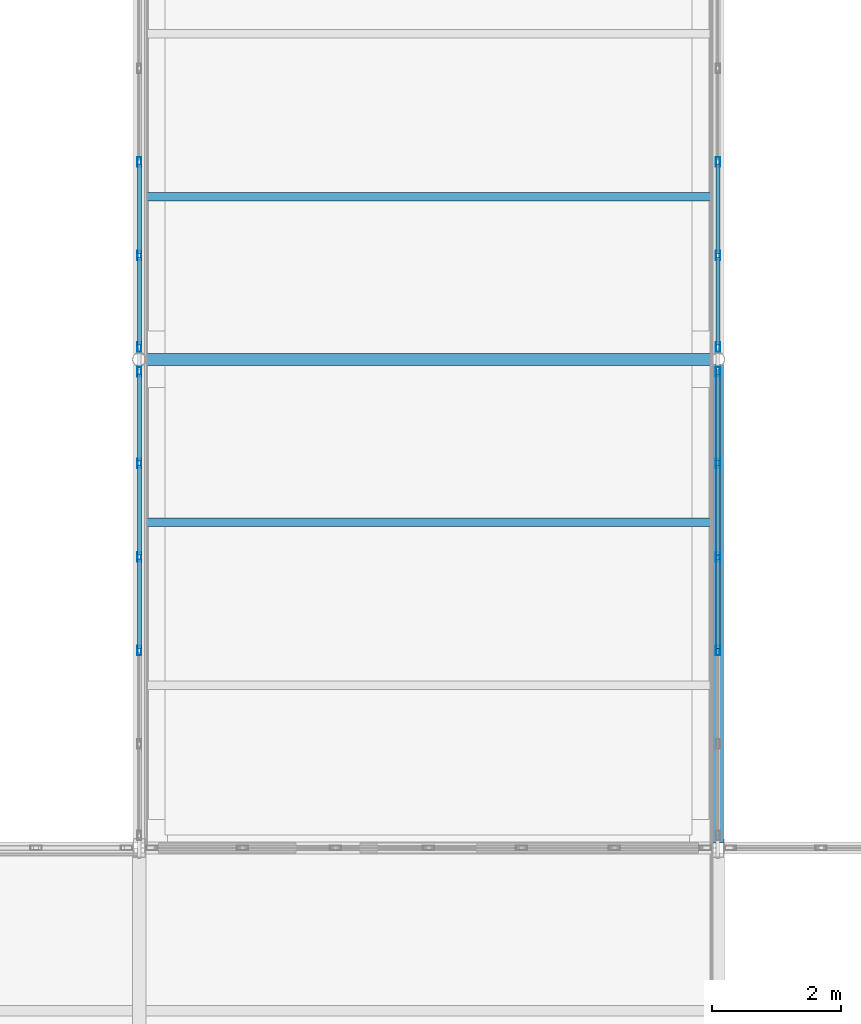
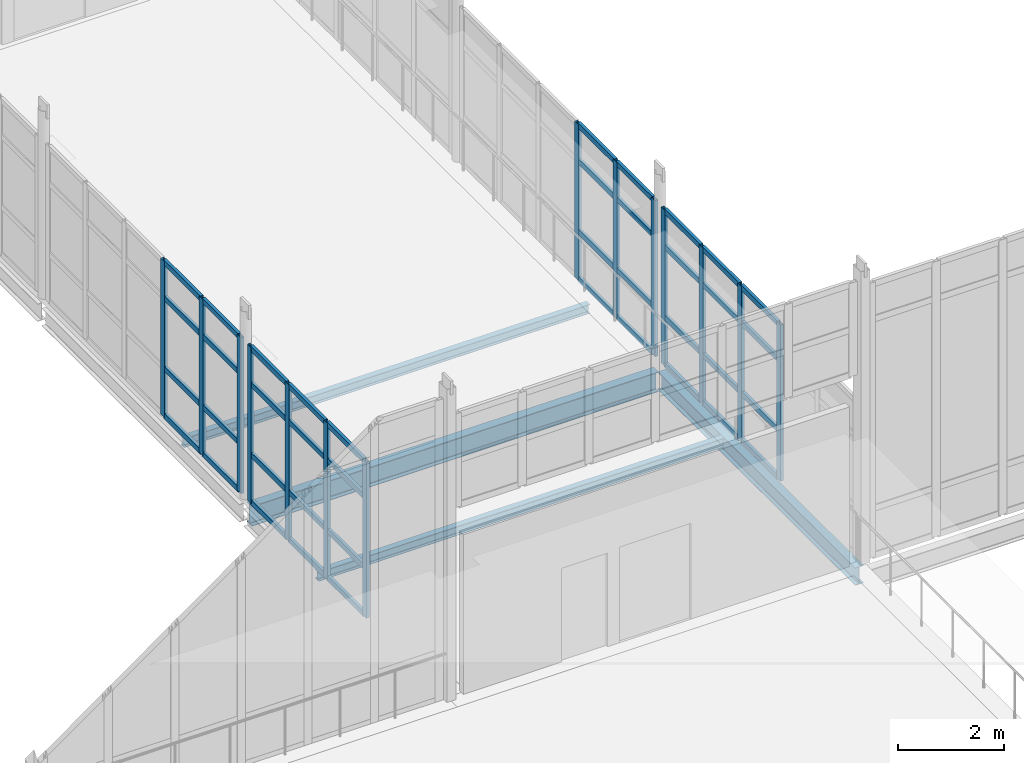
# One storey, part 71 of 166: 54 members, 4 beams, 4 elements without a shape of their own.
"""IFC4 building model written with IfcOpenShell, lengths in metres."""

from ifc_helpers import new_model, si_unit, direction, frame, origin, origin_2d, place, context, subcontext, project, spatial, hollow_rectangle, i_section, extrude, material, material_profile, profile_set, type_object, element, aggregate, save


model = new_model("IFC4")

# Units and contexts
model_context = context("Model", 3, precision=1e-05, world=origin(), true_north=direction((0.0, 1.0)))
body_context = subcontext(model_context, "Body", "Model", "MODEL_VIEW")
ifc_project = project(units=[si_unit("LENGTHUNIT", "METRE"), si_unit("AREAUNIT", "SQUARE_METRE"), si_unit("VOLUMEUNIT", "CUBIC_METRE"), si_unit("PLANEANGLEUNIT", "RADIAN"), si_unit("MASSUNIT", "GRAM", prefix="KILO")], contexts=[model_context])

# Site, building, storey
site_placement = place(None, origin())
site = spatial("IfcSite", under=ifc_project, at=site_placement, CompositionType="ELEMENT")
building_placement = place(site_placement, origin())
building = spatial("IfcBuilding", under=site, at=building_placement, Name="Caisbarro Railhouse Central Library", CompositionType="ELEMENT")
storey_placement = place(building_placement, frame((0.0, 0.0, 9.360107421875)))
storey = spatial("IfcBuildingStorey", under=building, at=storey_placement, Name="L02", CompositionType="ELEMENT", Elevation=9.360107421875)

# Beams
ifc_material_1 = material(Name="Steel ASTM A572 Grade 50", Category="steel")
ifc_material_profile_1 = material_profile(ifc_material_1, i_section(OverallWidth=0.18994140625, OverallDepth=0.45703125, WebThickness=0.009033203125, FlangeThickness=0.014404296875, FilletRadius=0.01806640625, at=origin_2d()), Name="W460X74.0")
ifc_profile_set_1 = profile_set([ifc_material_profile_1], Name="Steel ASTM A572 Grade 50")
beam_type_1 = type_object("IfcBeamType", Name="BM-G08", PredefinedType="BEAM", material=ifc_profile_set_1)
beam_1_placement = place(storey_placement, frame((54.080078125, 68.39990234375, -0.4287109375), z_axis=(1.0, 0.0, 0.0), x_axis=(0.0, 1.0, 0.0)))
element("IfcBeam", 1, at=beam_1_placement, inside=storey, type_object=beam_type_1, Name="G08 beam L02 #1718", PredefinedType="BEAM", context=body_context, shape_type="SweptSolid", body=[
    extrude(i_section(OverallWidth=0.18994140625, OverallDepth=0.45703125, WebThickness=0.009033203125, FlangeThickness=0.014404296875, FilletRadius=0.01806640625, at=origin_2d()), origin(), (0.0, 0.0, 1.0), 8.83984375),
])
ifc_material_profile_2 = material_profile(ifc_material_1, i_section(OverallWidth=0.177978515625, OverallDepth=0.406982421875, WebThickness=0.0078125, FlangeThickness=0.0126953125, FilletRadius=0.01611328125, at=origin_2d()), Name="W410X60.0")
ifc_profile_set_2 = profile_set([ifc_material_profile_2], Name="Steel ASTM A572 Grade 50")
beam_type_2 = type_object("IfcBeamType", Name="BM-G10", PredefinedType="BEAM", material=ifc_profile_set_2)
beam_2_placement = place(storey_placement, frame((63.0, 60.8798828125, -0.403564453125), z_axis=(0.0, 1.0, 0.0), x_axis=(-1.0, 0.0, 0.0)))
element("IfcBeam", 2, at=beam_2_placement, inside=storey, type_object=beam_type_2, Name="G10 beam L02 #1723", PredefinedType="BEAM", context=body_context, shape_type="SweptSolid", body=[
    extrude(i_section(OverallWidth=0.177978515625, OverallDepth=0.406982421875, WebThickness=0.0078125, FlangeThickness=0.0126953125, FilletRadius=0.01611328125, at=origin_2d()), origin(), (0.0, 0.0, 1.0), 7.440185546875),
])
ifc_material_profile_3 = material_profile(ifc_material_1, i_section(OverallWidth=0.133056640625, OverallDepth=0.20703125, WebThickness=0.005859375, FlangeThickness=0.00830078125, FilletRadius=0.010009765625, at=origin_2d()), Name="W200X26.6")
ifc_profile_set_3 = profile_set([ifc_material_profile_3], Name="Steel ASTM A572 Grade 50")
beam_type_3 = type_object("IfcBeamType", Name="BM-J07", PredefinedType="JOIST", material=ifc_profile_set_3)
for number, where, z_axis, x_axis, name in (
    (3, (54.089111328125, 65.86669921875, -0.3037109375), (1.0, 0.0, 0.0), (0.0, 1.0, 0.0), "J07 beam L02 #1727"),
    (4, (54.089111328125, 70.933349609375, -0.3037109375), (1.0, 0.0, 0.0), (0.0, 1.0, 0.0), "J07 beam L02 #1728"),
):
    element("IfcBeam", number, at=place(storey_placement, frame(where, z_axis=z_axis, x_axis=x_axis)), inside=storey, type_object=beam_type_3, Name=name, PredefinedType="JOIST", context=body_context, shape_type="SweptSolid", body=[
        extrude(i_section(OverallWidth=0.133056640625, OverallDepth=0.20703125, WebThickness=0.005859375, FlangeThickness=0.00830078125, FilletRadius=0.010009765625, at=origin_2d()), origin(), (0.0, 0.0, 1.0), 8.82177734375),
    ])

# Curtain wall, members
ifc_material_2 = material(Name="Anodised architectural aluminium", Category="aluminium")
curtain_wall_type = type_object("IfcCurtainWallType", Name="CW-CW03", PredefinedType="NOTDEFINED", material=ifc_material_2)
curtain_wall_1_placement = place(storey_placement, origin())
curtain_wall_1 = element("IfcCurtainWall", 5, at=curtain_wall_1_placement, inside=storey, type_object=curtain_wall_type, Name="CW03 curtain wall L02 #202", PredefinedType="NOTDEFINED")
ifc_material_profile_4 = material_profile(ifc_material_2, hollow_rectangle(XDim=0.06494140625, YDim=0.14990234375, WallThickness=0.00390625, at=origin_2d()), Name="ALU-MUL-65X150")
ifc_profile_set_4 = profile_set([ifc_material_profile_4], Name="Anodised architectural aluminium")
member_type_1 = type_object("IfcMemberType", Name="CWM-M02", PredefinedType="MULLION", material=ifc_profile_set_4)
member_1_placement = place(storey_placement, frame((54.0, 63.8720703125, 0.0), z_axis=(0.0, 0.0, 1.0), x_axis=(-1.0, 0.0, 0.0)))
member_1 = element("IfcMember", 6, at=member_1_placement, type_object=member_type_1, Name="CW03 mullion 3", PredefinedType="MULLION", context=body_context, shape_type="SweptSolid", body=[
    extrude(hollow_rectangle(XDim=0.06494140625, YDim=0.14990234375, WallThickness=0.00390625, at=origin_2d()), origin(), (0.0, 0.0, 1.0), 3.58984375),
])
member_2_placement = place(storey_placement, frame((54.0, 65.327880859375, 0.0), z_axis=(0.0, 0.0, 1.0), x_axis=(-1.0, 0.0, 0.0)))
member_2 = element("IfcMember", 7, at=member_2_placement, type_object=member_type_1, Name="CW03 mullion 4", PredefinedType="MULLION", context=body_context, shape_type="SweptSolid", body=[
    extrude(hollow_rectangle(XDim=0.06494140625, YDim=0.14990234375, WallThickness=0.00390625, at=origin_2d()), origin(), (0.0, 0.0, 1.0), 3.58984375),
])
member_3_placement = place(storey_placement, frame((54.0, 66.783935546875, 0.0), z_axis=(0.0, 0.0, 1.0), x_axis=(-1.0, 0.0, 0.0)))
member_3 = element("IfcMember", 8, at=member_3_placement, type_object=member_type_1, Name="CW03 mullion 5", PredefinedType="MULLION", context=body_context, shape_type="SweptSolid", body=[
    extrude(hollow_rectangle(XDim=0.06494140625, YDim=0.14990234375, WallThickness=0.00390625, at=origin_2d()), origin(), (0.0, 0.0, 1.0), 3.58984375),
])
member_4_placement = place(storey_placement, frame((54.0, 68.20751953125, 0.0), z_axis=(0.0, 0.0, 1.0), x_axis=(-1.0, 0.0, 0.0)))
member_4 = element("IfcMember", 9, at=member_4_placement, type_object=member_type_1, Name="CW03 mullion 6", PredefinedType="MULLION", context=body_context, shape_type="SweptSolid", body=[
    extrude(hollow_rectangle(XDim=0.06494140625, YDim=0.14990234375, WallThickness=0.00390625, at=origin_2d()), origin(), (0.0, 0.0, 1.0), 3.58984375),
])

curtain_wall_2_placement = place(storey_placement, origin())
curtain_wall_2 = element("IfcCurtainWall", 10, at=curtain_wall_2_placement, inside=storey, type_object=curtain_wall_type, Name="CW03 curtain wall L02 #203", PredefinedType="NOTDEFINED")
member_5_placement = place(storey_placement, frame((63.0, 63.8720703125, 0.0), z_axis=(0.0, 0.0, 1.0), x_axis=(-1.0, 0.0, 0.0)))
member_5 = element("IfcMember", 11, at=member_5_placement, type_object=member_type_1, Name="CW03 mullion 3", PredefinedType="MULLION", context=body_context, shape_type="SweptSolid", body=[
    extrude(hollow_rectangle(XDim=0.06494140625, YDim=0.14990234375, WallThickness=0.00390625, at=origin_2d()), origin(), (0.0, 0.0, 1.0), 3.58984375),
])
member_6_placement = place(storey_placement, frame((63.0, 65.327880859375, 0.0), z_axis=(0.0, 0.0, 1.0), x_axis=(-1.0, 0.0, 0.0)))
member_6 = element("IfcMember", 12, at=member_6_placement, type_object=member_type_1, Name="CW03 mullion 4", PredefinedType="MULLION", context=body_context, shape_type="SweptSolid", body=[
    extrude(hollow_rectangle(XDim=0.06494140625, YDim=0.14990234375, WallThickness=0.00390625, at=origin_2d()), origin(), (0.0, 0.0, 1.0), 3.58984375),
])
member_7_placement = place(storey_placement, frame((63.0, 66.783935546875, 0.0), z_axis=(0.0, 0.0, 1.0), x_axis=(-1.0, 0.0, 0.0)))
member_7 = element("IfcMember", 13, at=member_7_placement, type_object=member_type_1, Name="CW03 mullion 5", PredefinedType="MULLION", context=body_context, shape_type="SweptSolid", body=[
    extrude(hollow_rectangle(XDim=0.06494140625, YDim=0.14990234375, WallThickness=0.00390625, at=origin_2d()), origin(), (0.0, 0.0, 1.0), 3.58984375),
])
member_8_placement = place(storey_placement, frame((63.0, 68.20751953125, 0.0), z_axis=(0.0, 0.0, 1.0), x_axis=(-1.0, 0.0, 0.0)))
member_8 = element("IfcMember", 14, at=member_8_placement, type_object=member_type_1, Name="CW03 mullion 6", PredefinedType="MULLION", context=body_context, shape_type="SweptSolid", body=[
    extrude(hollow_rectangle(XDim=0.06494140625, YDim=0.14990234375, WallThickness=0.00390625, at=origin_2d()), origin(), (0.0, 0.0, 1.0), 3.58984375),
])

curtain_wall_3_placement = place(storey_placement, origin())
curtain_wall_3 = element("IfcCurtainWall", 15, at=curtain_wall_3_placement, inside=storey, type_object=curtain_wall_type, Name="CW03 curtain wall L02 #204", PredefinedType="NOTDEFINED")
member_9_placement = place(storey_placement, frame((54.0, 68.592529296875, 0.0), z_axis=(0.0, 0.0, 1.0), x_axis=(-1.0, 0.0, 0.0)))
member_9 = element("IfcMember", 16, at=member_9_placement, type_object=member_type_1, Name="CW03 mullion 1", PredefinedType="MULLION", context=body_context, shape_type="SweptSolid", body=[
    extrude(hollow_rectangle(XDim=0.06494140625, YDim=0.14990234375, WallThickness=0.00390625, at=origin_2d()), origin(), (0.0, 0.0, 1.0), 3.58984375),
])
member_10_placement = place(storey_placement, frame((54.0, 70.01611328125, 0.0), z_axis=(0.0, 0.0, 1.0), x_axis=(-1.0, 0.0, 0.0)))
member_10 = element("IfcMember", 17, at=member_10_placement, type_object=member_type_1, Name="CW03 mullion 2", PredefinedType="MULLION", context=body_context, shape_type="SweptSolid", body=[
    extrude(hollow_rectangle(XDim=0.06494140625, YDim=0.14990234375, WallThickness=0.00390625, at=origin_2d()), origin(), (0.0, 0.0, 1.0), 3.58984375),
])
member_11_placement = place(storey_placement, frame((54.0, 71.471923828125, 0.0), z_axis=(0.0, 0.0, 1.0), x_axis=(-1.0, 0.0, 0.0)))
member_11 = element("IfcMember", 18, at=member_11_placement, type_object=member_type_1, Name="CW03 mullion 3", PredefinedType="MULLION", context=body_context, shape_type="SweptSolid", body=[
    extrude(hollow_rectangle(XDim=0.06494140625, YDim=0.14990234375, WallThickness=0.00390625, at=origin_2d()), origin(), (0.0, 0.0, 1.0), 3.58984375),
])

curtain_wall_4_placement = place(storey_placement, origin())
curtain_wall_4 = element("IfcCurtainWall", 19, at=curtain_wall_4_placement, inside=storey, type_object=curtain_wall_type, Name="CW03 curtain wall L02 #205", PredefinedType="NOTDEFINED")
member_12_placement = place(storey_placement, frame((63.0, 68.592529296875, 0.0), z_axis=(0.0, 0.0, 1.0), x_axis=(-1.0, 0.0, 0.0)))
member_12 = element("IfcMember", 20, at=member_12_placement, type_object=member_type_1, Name="CW03 mullion 1", PredefinedType="MULLION", context=body_context, shape_type="SweptSolid", body=[
    extrude(hollow_rectangle(XDim=0.06494140625, YDim=0.14990234375, WallThickness=0.00390625, at=origin_2d()), origin(), (0.0, 0.0, 1.0), 3.58984375),
])
member_13_placement = place(storey_placement, frame((63.0, 70.01611328125, 0.0), z_axis=(0.0, 0.0, 1.0), x_axis=(-1.0, 0.0, 0.0)))
member_13 = element("IfcMember", 21, at=member_13_placement, type_object=member_type_1, Name="CW03 mullion 2", PredefinedType="MULLION", context=body_context, shape_type="SweptSolid", body=[
    extrude(hollow_rectangle(XDim=0.06494140625, YDim=0.14990234375, WallThickness=0.00390625, at=origin_2d()), origin(), (0.0, 0.0, 1.0), 3.58984375),
])
member_14_placement = place(storey_placement, frame((63.0, 71.471923828125, 0.0), z_axis=(0.0, 0.0, 1.0), x_axis=(-1.0, 0.0, 0.0)))
member_14 = element("IfcMember", 22, at=member_14_placement, type_object=member_type_1, Name="CW03 mullion 3", PredefinedType="MULLION", context=body_context, shape_type="SweptSolid", body=[
    extrude(hollow_rectangle(XDim=0.06494140625, YDim=0.14990234375, WallThickness=0.00390625, at=origin_2d()), origin(), (0.0, 0.0, 1.0), 3.58984375),
])

# Member
ifc_material_profile_5 = material_profile(ifc_material_2, hollow_rectangle(XDim=0.06494140625, YDim=0.1201171875, WallThickness=0.00341796875, at=origin_2d()), Name="ALU-TRN-65X120")
ifc_profile_set_5 = profile_set([ifc_material_profile_5], Name="Anodised architectural aluminium")
member_type_2 = type_object("IfcMemberType", Name="CWT-T02", PredefinedType="USERDEFINED", material=ifc_profile_set_5)
member_15_placement = place(storey_placement, frame((54.0, 63.904541015625, 0.032470703125), z_axis=(0.0, 1.0, 0.0), x_axis=(-1.0, 0.0, 0.0)))
member_15 = element("IfcMember", 23, at=member_15_placement, type_object=member_type_2, Name="CW03 transom 3.1", ObjectType="TRANSOM", PredefinedType="USERDEFINED", context=body_context, shape_type="SweptSolid", body=[
    extrude(hollow_rectangle(XDim=0.06494140625, YDim=0.1201171875, WallThickness=0.00341796875, at=origin_2d()), origin(), (0.0, 0.0, 1.0), 1.390869140625),
])

member_16_placement = place(storey_placement, frame((54.0, 63.904541015625, 1.119873046875), z_axis=(0.0, 1.0, 0.0), x_axis=(-1.0, 0.0, 0.0)))
member_16 = element("IfcMember", 24, at=member_16_placement, type_object=member_type_2, Name="CW03 transom 3.2", ObjectType="TRANSOM", PredefinedType="USERDEFINED", context=body_context, shape_type="SweptSolid", body=[
    extrude(hollow_rectangle(XDim=0.06494140625, YDim=0.1201171875, WallThickness=0.00341796875, at=origin_2d()), origin(), (0.0, 0.0, 1.0), 1.390869140625),
])

member_17_placement = place(storey_placement, frame((54.0, 63.904541015625, 2.739990234375), z_axis=(0.0, 1.0, 0.0), x_axis=(-1.0, 0.0, 0.0)))
member_17 = element("IfcMember", 25, at=member_17_placement, type_object=member_type_2, Name="CW03 transom 3.3", ObjectType="TRANSOM", PredefinedType="USERDEFINED", context=body_context, shape_type="SweptSolid", body=[
    extrude(hollow_rectangle(XDim=0.06494140625, YDim=0.1201171875, WallThickness=0.00341796875, at=origin_2d()), origin(), (0.0, 0.0, 1.0), 1.390869140625),
])

member_18_placement = place(storey_placement, frame((54.0, 63.904541015625, 3.557373046875), z_axis=(0.0, 1.0, 0.0), x_axis=(-1.0, 0.0, 0.0)))
member_18 = element("IfcMember", 26, at=member_18_placement, type_object=member_type_2, Name="CW03 transom 3.4", ObjectType="TRANSOM", PredefinedType="USERDEFINED", context=body_context, shape_type="SweptSolid", body=[
    extrude(hollow_rectangle(XDim=0.06494140625, YDim=0.1201171875, WallThickness=0.00341796875, at=origin_2d()), origin(), (0.0, 0.0, 1.0), 1.390869140625),
])

member_19_placement = place(storey_placement, frame((54.0, 65.360595703125, 0.032470703125), z_axis=(0.0, 1.0, 0.0), x_axis=(-1.0, 0.0, 0.0)))
member_19 = element("IfcMember", 27, at=member_19_placement, type_object=member_type_2, Name="CW03 transom 4.1", ObjectType="TRANSOM", PredefinedType="USERDEFINED", context=body_context, shape_type="SweptSolid", body=[
    extrude(hollow_rectangle(XDim=0.06494140625, YDim=0.1201171875, WallThickness=0.00341796875, at=origin_2d()), origin(), (0.0, 0.0, 1.0), 1.390869140625),
])

member_20_placement = place(storey_placement, frame((54.0, 65.360595703125, 1.119873046875), z_axis=(0.0, 1.0, 0.0), x_axis=(-1.0, 0.0, 0.0)))
member_20 = element("IfcMember", 28, at=member_20_placement, type_object=member_type_2, Name="CW03 transom 4.2", ObjectType="TRANSOM", PredefinedType="USERDEFINED", context=body_context, shape_type="SweptSolid", body=[
    extrude(hollow_rectangle(XDim=0.06494140625, YDim=0.1201171875, WallThickness=0.00341796875, at=origin_2d()), origin(), (0.0, 0.0, 1.0), 1.390869140625),
])

member_21_placement = place(storey_placement, frame((54.0, 65.360595703125, 2.739990234375), z_axis=(0.0, 1.0, 0.0), x_axis=(-1.0, 0.0, 0.0)))
member_21 = element("IfcMember", 29, at=member_21_placement, type_object=member_type_2, Name="CW03 transom 4.3", ObjectType="TRANSOM", PredefinedType="USERDEFINED", context=body_context, shape_type="SweptSolid", body=[
    extrude(hollow_rectangle(XDim=0.06494140625, YDim=0.1201171875, WallThickness=0.00341796875, at=origin_2d()), origin(), (0.0, 0.0, 1.0), 1.390869140625),
])

member_22_placement = place(storey_placement, frame((54.0, 65.360595703125, 3.557373046875), z_axis=(0.0, 1.0, 0.0), x_axis=(-1.0, 0.0, 0.0)))
member_22 = element("IfcMember", 30, at=member_22_placement, type_object=member_type_2, Name="CW03 transom 4.4", ObjectType="TRANSOM", PredefinedType="USERDEFINED", context=body_context, shape_type="SweptSolid", body=[
    extrude(hollow_rectangle(XDim=0.06494140625, YDim=0.1201171875, WallThickness=0.00341796875, at=origin_2d()), origin(), (0.0, 0.0, 1.0), 1.390869140625),
])

member_23_placement = place(storey_placement, frame((54.0, 66.81640625, 0.032470703125), z_axis=(0.0, 1.0, 0.0), x_axis=(-1.0, 0.0, 0.0)))
member_23 = element("IfcMember", 31, at=member_23_placement, type_object=member_type_2, Name="CW03 transom 5.1", ObjectType="TRANSOM", PredefinedType="USERDEFINED", context=body_context, shape_type="SweptSolid", body=[
    extrude(hollow_rectangle(XDim=0.06494140625, YDim=0.1201171875, WallThickness=0.00341796875, at=origin_2d()), origin(), (0.0, 0.0, 1.0), 1.358642578125),
])

member_24_placement = place(storey_placement, frame((54.0, 66.81640625, 1.119873046875), z_axis=(0.0, 1.0, 0.0), x_axis=(-1.0, 0.0, 0.0)))
member_24 = element("IfcMember", 32, at=member_24_placement, type_object=member_type_2, Name="CW03 transom 5.2", ObjectType="TRANSOM", PredefinedType="USERDEFINED", context=body_context, shape_type="SweptSolid", body=[
    extrude(hollow_rectangle(XDim=0.06494140625, YDim=0.1201171875, WallThickness=0.00341796875, at=origin_2d()), origin(), (0.0, 0.0, 1.0), 1.358642578125),
])

member_25_placement = place(storey_placement, frame((54.0, 66.81640625, 2.739990234375), z_axis=(0.0, 1.0, 0.0), x_axis=(-1.0, 0.0, 0.0)))
member_25 = element("IfcMember", 33, at=member_25_placement, type_object=member_type_2, Name="CW03 transom 5.3", ObjectType="TRANSOM", PredefinedType="USERDEFINED", context=body_context, shape_type="SweptSolid", body=[
    extrude(hollow_rectangle(XDim=0.06494140625, YDim=0.1201171875, WallThickness=0.00341796875, at=origin_2d()), origin(), (0.0, 0.0, 1.0), 1.358642578125),
])

member_26_placement = place(storey_placement, frame((54.0, 66.81640625, 3.557373046875), z_axis=(0.0, 1.0, 0.0), x_axis=(-1.0, 0.0, 0.0)))
member_26 = element("IfcMember", 34, at=member_26_placement, type_object=member_type_2, Name="CW03 transom 5.4", ObjectType="TRANSOM", PredefinedType="USERDEFINED", context=body_context, shape_type="SweptSolid", body=[
    extrude(hollow_rectangle(XDim=0.06494140625, YDim=0.1201171875, WallThickness=0.00341796875, at=origin_2d()), origin(), (0.0, 0.0, 1.0), 1.358642578125),
])

aggregate(curtain_wall_1, [member_1, member_2, member_3, member_4, member_15, member_16, member_17, member_18, member_19, member_20, member_21, member_22, member_23, member_24, member_25, member_26])

member_27_placement = place(storey_placement, frame((63.0, 63.904541015625, 0.032470703125), z_axis=(0.0, 1.0, 0.0), x_axis=(-1.0, 0.0, 0.0)))
member_27 = element("IfcMember", 35, at=member_27_placement, type_object=member_type_2, Name="CW03 transom 3.1", ObjectType="TRANSOM", PredefinedType="USERDEFINED", context=body_context, shape_type="SweptSolid", body=[
    extrude(hollow_rectangle(XDim=0.06494140625, YDim=0.1201171875, WallThickness=0.00341796875, at=origin_2d()), origin(), (0.0, 0.0, 1.0), 1.390869140625),
])

member_28_placement = place(storey_placement, frame((63.0, 63.904541015625, 1.119873046875), z_axis=(0.0, 1.0, 0.0), x_axis=(-1.0, 0.0, 0.0)))
member_28 = element("IfcMember", 36, at=member_28_placement, type_object=member_type_2, Name="CW03 transom 3.2", ObjectType="TRANSOM", PredefinedType="USERDEFINED", context=body_context, shape_type="SweptSolid", body=[
    extrude(hollow_rectangle(XDim=0.06494140625, YDim=0.1201171875, WallThickness=0.00341796875, at=origin_2d()), origin(), (0.0, 0.0, 1.0), 1.390869140625),
])

member_29_placement = place(storey_placement, frame((63.0, 63.904541015625, 2.739990234375), z_axis=(0.0, 1.0, 0.0), x_axis=(-1.0, 0.0, 0.0)))
member_29 = element("IfcMember", 37, at=member_29_placement, type_object=member_type_2, Name="CW03 transom 3.3", ObjectType="TRANSOM", PredefinedType="USERDEFINED", context=body_context, shape_type="SweptSolid", body=[
    extrude(hollow_rectangle(XDim=0.06494140625, YDim=0.1201171875, WallThickness=0.00341796875, at=origin_2d()), origin(), (0.0, 0.0, 1.0), 1.390869140625),
])

member_30_placement = place(storey_placement, frame((63.0, 63.904541015625, 3.557373046875), z_axis=(0.0, 1.0, 0.0), x_axis=(-1.0, 0.0, 0.0)))
member_30 = element("IfcMember", 38, at=member_30_placement, type_object=member_type_2, Name="CW03 transom 3.4", ObjectType="TRANSOM", PredefinedType="USERDEFINED", context=body_context, shape_type="SweptSolid", body=[
    extrude(hollow_rectangle(XDim=0.06494140625, YDim=0.1201171875, WallThickness=0.00341796875, at=origin_2d()), origin(), (0.0, 0.0, 1.0), 1.390869140625),
])

member_31_placement = place(storey_placement, frame((63.0, 65.360595703125, 0.032470703125), z_axis=(0.0, 1.0, 0.0), x_axis=(-1.0, 0.0, 0.0)))
member_31 = element("IfcMember", 39, at=member_31_placement, type_object=member_type_2, Name="CW03 transom 4.1", ObjectType="TRANSOM", PredefinedType="USERDEFINED", context=body_context, shape_type="SweptSolid", body=[
    extrude(hollow_rectangle(XDim=0.06494140625, YDim=0.1201171875, WallThickness=0.00341796875, at=origin_2d()), origin(), (0.0, 0.0, 1.0), 1.390869140625),
])

member_32_placement = place(storey_placement, frame((63.0, 65.360595703125, 1.119873046875), z_axis=(0.0, 1.0, 0.0), x_axis=(-1.0, 0.0, 0.0)))
member_32 = element("IfcMember", 40, at=member_32_placement, type_object=member_type_2, Name="CW03 transom 4.2", ObjectType="TRANSOM", PredefinedType="USERDEFINED", context=body_context, shape_type="SweptSolid", body=[
    extrude(hollow_rectangle(XDim=0.06494140625, YDim=0.1201171875, WallThickness=0.00341796875, at=origin_2d()), origin(), (0.0, 0.0, 1.0), 1.390869140625),
])

member_33_placement = place(storey_placement, frame((63.0, 65.360595703125, 2.739990234375), z_axis=(0.0, 1.0, 0.0), x_axis=(-1.0, 0.0, 0.0)))
member_33 = element("IfcMember", 41, at=member_33_placement, type_object=member_type_2, Name="CW03 transom 4.3", ObjectType="TRANSOM", PredefinedType="USERDEFINED", context=body_context, shape_type="SweptSolid", body=[
    extrude(hollow_rectangle(XDim=0.06494140625, YDim=0.1201171875, WallThickness=0.00341796875, at=origin_2d()), origin(), (0.0, 0.0, 1.0), 1.390869140625),
])

member_34_placement = place(storey_placement, frame((63.0, 65.360595703125, 3.557373046875), z_axis=(0.0, 1.0, 0.0), x_axis=(-1.0, 0.0, 0.0)))
member_34 = element("IfcMember", 42, at=member_34_placement, type_object=member_type_2, Name="CW03 transom 4.4", ObjectType="TRANSOM", PredefinedType="USERDEFINED", context=body_context, shape_type="SweptSolid", body=[
    extrude(hollow_rectangle(XDim=0.06494140625, YDim=0.1201171875, WallThickness=0.00341796875, at=origin_2d()), origin(), (0.0, 0.0, 1.0), 1.390869140625),
])

member_35_placement = place(storey_placement, frame((63.0, 66.81640625, 0.032470703125), z_axis=(0.0, 1.0, 0.0), x_axis=(-1.0, 0.0, 0.0)))
member_35 = element("IfcMember", 43, at=member_35_placement, type_object=member_type_2, Name="CW03 transom 5.1", ObjectType="TRANSOM", PredefinedType="USERDEFINED", context=body_context, shape_type="SweptSolid", body=[
    extrude(hollow_rectangle(XDim=0.06494140625, YDim=0.1201171875, WallThickness=0.00341796875, at=origin_2d()), origin(), (0.0, 0.0, 1.0), 1.358642578125),
])

member_36_placement = place(storey_placement, frame((63.0, 66.81640625, 1.119873046875), z_axis=(0.0, 1.0, 0.0), x_axis=(-1.0, 0.0, 0.0)))
member_36 = element("IfcMember", 44, at=member_36_placement, type_object=member_type_2, Name="CW03 transom 5.2", ObjectType="TRANSOM", PredefinedType="USERDEFINED", context=body_context, shape_type="SweptSolid", body=[
    extrude(hollow_rectangle(XDim=0.06494140625, YDim=0.1201171875, WallThickness=0.00341796875, at=origin_2d()), origin(), (0.0, 0.0, 1.0), 1.358642578125),
])

member_37_placement = place(storey_placement, frame((63.0, 66.81640625, 2.739990234375), z_axis=(0.0, 1.0, 0.0), x_axis=(-1.0, 0.0, 0.0)))
member_37 = element("IfcMember", 45, at=member_37_placement, type_object=member_type_2, Name="CW03 transom 5.3", ObjectType="TRANSOM", PredefinedType="USERDEFINED", context=body_context, shape_type="SweptSolid", body=[
    extrude(hollow_rectangle(XDim=0.06494140625, YDim=0.1201171875, WallThickness=0.00341796875, at=origin_2d()), origin(), (0.0, 0.0, 1.0), 1.358642578125),
])

member_38_placement = place(storey_placement, frame((63.0, 66.81640625, 3.557373046875), z_axis=(0.0, 1.0, 0.0), x_axis=(-1.0, 0.0, 0.0)))
member_38 = element("IfcMember", 46, at=member_38_placement, type_object=member_type_2, Name="CW03 transom 5.4", ObjectType="TRANSOM", PredefinedType="USERDEFINED", context=body_context, shape_type="SweptSolid", body=[
    extrude(hollow_rectangle(XDim=0.06494140625, YDim=0.1201171875, WallThickness=0.00341796875, at=origin_2d()), origin(), (0.0, 0.0, 1.0), 1.358642578125),
])

aggregate(curtain_wall_2, [member_5, member_6, member_7, member_8, member_27, member_28, member_29, member_30, member_31, member_32, member_33, member_34, member_35, member_36, member_37, member_38])

member_39_placement = place(storey_placement, frame((54.0, 68.625, 0.032470703125), z_axis=(0.0, 1.0, 0.0), x_axis=(-1.0, 0.0, 0.0)))
member_39 = element("IfcMember", 47, at=member_39_placement, type_object=member_type_2, Name="CW03 transom 1.1", ObjectType="TRANSOM", PredefinedType="USERDEFINED", context=body_context, shape_type="SweptSolid", body=[
    extrude(hollow_rectangle(XDim=0.06494140625, YDim=0.1201171875, WallThickness=0.00341796875, at=origin_2d()), origin(), (0.0, 0.0, 1.0), 1.3583984375),
])

member_40_placement = place(storey_placement, frame((54.0, 68.625, 1.119873046875), z_axis=(0.0, 1.0, 0.0), x_axis=(-1.0, 0.0, 0.0)))
member_40 = element("IfcMember", 48, at=member_40_placement, type_object=member_type_2, Name="CW03 transom 1.2", ObjectType="TRANSOM", PredefinedType="USERDEFINED", context=body_context, shape_type="SweptSolid", body=[
    extrude(hollow_rectangle(XDim=0.06494140625, YDim=0.1201171875, WallThickness=0.00341796875, at=origin_2d()), origin(), (0.0, 0.0, 1.0), 1.3583984375),
])

member_41_placement = place(storey_placement, frame((54.0, 68.625, 2.739990234375), z_axis=(0.0, 1.0, 0.0), x_axis=(-1.0, 0.0, 0.0)))
member_41 = element("IfcMember", 49, at=member_41_placement, type_object=member_type_2, Name="CW03 transom 1.3", ObjectType="TRANSOM", PredefinedType="USERDEFINED", context=body_context, shape_type="SweptSolid", body=[
    extrude(hollow_rectangle(XDim=0.06494140625, YDim=0.1201171875, WallThickness=0.00341796875, at=origin_2d()), origin(), (0.0, 0.0, 1.0), 1.3583984375),
])

member_42_placement = place(storey_placement, frame((54.0, 68.625, 3.557373046875), z_axis=(0.0, 1.0, 0.0), x_axis=(-1.0, 0.0, 0.0)))
member_42 = element("IfcMember", 50, at=member_42_placement, type_object=member_type_2, Name="CW03 transom 1.4", ObjectType="TRANSOM", PredefinedType="USERDEFINED", context=body_context, shape_type="SweptSolid", body=[
    extrude(hollow_rectangle(XDim=0.06494140625, YDim=0.1201171875, WallThickness=0.00341796875, at=origin_2d()), origin(), (0.0, 0.0, 1.0), 1.3583984375),
])

member_43_placement = place(storey_placement, frame((54.0, 70.048583984375, 0.032470703125), z_axis=(0.0, 1.0, 0.0), x_axis=(-1.0, 0.0, 0.0)))
member_43 = element("IfcMember", 51, at=member_43_placement, type_object=member_type_2, Name="CW03 transom 2.1", ObjectType="TRANSOM", PredefinedType="USERDEFINED", context=body_context, shape_type="SweptSolid", body=[
    extrude(hollow_rectangle(XDim=0.06494140625, YDim=0.1201171875, WallThickness=0.00341796875, at=origin_2d()), origin(), (0.0, 0.0, 1.0), 1.390869140625),
])

member_44_placement = place(storey_placement, frame((54.0, 70.048583984375, 1.119873046875), z_axis=(0.0, 1.0, 0.0), x_axis=(-1.0, 0.0, 0.0)))
member_44 = element("IfcMember", 52, at=member_44_placement, type_object=member_type_2, Name="CW03 transom 2.2", ObjectType="TRANSOM", PredefinedType="USERDEFINED", context=body_context, shape_type="SweptSolid", body=[
    extrude(hollow_rectangle(XDim=0.06494140625, YDim=0.1201171875, WallThickness=0.00341796875, at=origin_2d()), origin(), (0.0, 0.0, 1.0), 1.390869140625),
])

member_45_placement = place(storey_placement, frame((54.0, 70.048583984375, 2.739990234375), z_axis=(0.0, 1.0, 0.0), x_axis=(-1.0, 0.0, 0.0)))
member_45 = element("IfcMember", 53, at=member_45_placement, type_object=member_type_2, Name="CW03 transom 2.3", ObjectType="TRANSOM", PredefinedType="USERDEFINED", context=body_context, shape_type="SweptSolid", body=[
    extrude(hollow_rectangle(XDim=0.06494140625, YDim=0.1201171875, WallThickness=0.00341796875, at=origin_2d()), origin(), (0.0, 0.0, 1.0), 1.390869140625),
])

member_46_placement = place(storey_placement, frame((54.0, 70.048583984375, 3.557373046875), z_axis=(0.0, 1.0, 0.0), x_axis=(-1.0, 0.0, 0.0)))
member_46 = element("IfcMember", 54, at=member_46_placement, type_object=member_type_2, Name="CW03 transom 2.4", ObjectType="TRANSOM", PredefinedType="USERDEFINED", context=body_context, shape_type="SweptSolid", body=[
    extrude(hollow_rectangle(XDim=0.06494140625, YDim=0.1201171875, WallThickness=0.00341796875, at=origin_2d()), origin(), (0.0, 0.0, 1.0), 1.390869140625),
])

aggregate(curtain_wall_3, [member_9, member_10, member_11, member_39, member_40, member_41, member_42, member_43, member_44, member_45, member_46])

member_47_placement = place(storey_placement, frame((63.0, 68.625, 0.032470703125), z_axis=(0.0, 1.0, 0.0), x_axis=(-1.0, 0.0, 0.0)))
member_47 = element("IfcMember", 55, at=member_47_placement, type_object=member_type_2, Name="CW03 transom 1.1", ObjectType="TRANSOM", PredefinedType="USERDEFINED", context=body_context, shape_type="SweptSolid", body=[
    extrude(hollow_rectangle(XDim=0.06494140625, YDim=0.1201171875, WallThickness=0.00341796875, at=origin_2d()), origin(), (0.0, 0.0, 1.0), 1.3583984375),
])

member_48_placement = place(storey_placement, frame((63.0, 68.625, 1.119873046875), z_axis=(0.0, 1.0, 0.0), x_axis=(-1.0, 0.0, 0.0)))
member_48 = element("IfcMember", 56, at=member_48_placement, type_object=member_type_2, Name="CW03 transom 1.2", ObjectType="TRANSOM", PredefinedType="USERDEFINED", context=body_context, shape_type="SweptSolid", body=[
    extrude(hollow_rectangle(XDim=0.06494140625, YDim=0.1201171875, WallThickness=0.00341796875, at=origin_2d()), origin(), (0.0, 0.0, 1.0), 1.3583984375),
])

member_49_placement = place(storey_placement, frame((63.0, 68.625, 2.739990234375), z_axis=(0.0, 1.0, 0.0), x_axis=(-1.0, 0.0, 0.0)))
member_49 = element("IfcMember", 57, at=member_49_placement, type_object=member_type_2, Name="CW03 transom 1.3", ObjectType="TRANSOM", PredefinedType="USERDEFINED", context=body_context, shape_type="SweptSolid", body=[
    extrude(hollow_rectangle(XDim=0.06494140625, YDim=0.1201171875, WallThickness=0.00341796875, at=origin_2d()), origin(), (0.0, 0.0, 1.0), 1.3583984375),
])

member_50_placement = place(storey_placement, frame((63.0, 68.625, 3.557373046875), z_axis=(0.0, 1.0, 0.0), x_axis=(-1.0, 0.0, 0.0)))
member_50 = element("IfcMember", 58, at=member_50_placement, type_object=member_type_2, Name="CW03 transom 1.4", ObjectType="TRANSOM", PredefinedType="USERDEFINED", context=body_context, shape_type="SweptSolid", body=[
    extrude(hollow_rectangle(XDim=0.06494140625, YDim=0.1201171875, WallThickness=0.00341796875, at=origin_2d()), origin(), (0.0, 0.0, 1.0), 1.3583984375),
])

member_51_placement = place(storey_placement, frame((63.0, 70.048583984375, 0.032470703125), z_axis=(0.0, 1.0, 0.0), x_axis=(-1.0, 0.0, 0.0)))
member_51 = element("IfcMember", 59, at=member_51_placement, type_object=member_type_2, Name="CW03 transom 2.1", ObjectType="TRANSOM", PredefinedType="USERDEFINED", context=body_context, shape_type="SweptSolid", body=[
    extrude(hollow_rectangle(XDim=0.06494140625, YDim=0.1201171875, WallThickness=0.00341796875, at=origin_2d()), origin(), (0.0, 0.0, 1.0), 1.390869140625),
])

member_52_placement = place(storey_placement, frame((63.0, 70.048583984375, 1.119873046875), z_axis=(0.0, 1.0, 0.0), x_axis=(-1.0, 0.0, 0.0)))
member_52 = element("IfcMember", 60, at=member_52_placement, type_object=member_type_2, Name="CW03 transom 2.2", ObjectType="TRANSOM", PredefinedType="USERDEFINED", context=body_context, shape_type="SweptSolid", body=[
    extrude(hollow_rectangle(XDim=0.06494140625, YDim=0.1201171875, WallThickness=0.00341796875, at=origin_2d()), origin(), (0.0, 0.0, 1.0), 1.390869140625),
])

member_53_placement = place(storey_placement, frame((63.0, 70.048583984375, 2.739990234375), z_axis=(0.0, 1.0, 0.0), x_axis=(-1.0, 0.0, 0.0)))
member_53 = element("IfcMember", 61, at=member_53_placement, type_object=member_type_2, Name="CW03 transom 2.3", ObjectType="TRANSOM", PredefinedType="USERDEFINED", context=body_context, shape_type="SweptSolid", body=[
    extrude(hollow_rectangle(XDim=0.06494140625, YDim=0.1201171875, WallThickness=0.00341796875, at=origin_2d()), origin(), (0.0, 0.0, 1.0), 1.390869140625),
])

member_54_placement = place(storey_placement, frame((63.0, 70.048583984375, 3.557373046875), z_axis=(0.0, 1.0, 0.0), x_axis=(-1.0, 0.0, 0.0)))
member_54 = element("IfcMember", 62, at=member_54_placement, type_object=member_type_2, Name="CW03 transom 2.4", ObjectType="TRANSOM", PredefinedType="USERDEFINED", context=body_context, shape_type="SweptSolid", body=[
    extrude(hollow_rectangle(XDim=0.06494140625, YDim=0.1201171875, WallThickness=0.00341796875, at=origin_2d()), origin(), (0.0, 0.0, 1.0), 1.390869140625),
])

aggregate(curtain_wall_4, [member_12, member_13, member_14, member_47, member_48, member_49, member_50, member_51, member_52, member_53, member_54])

save(model, "model.ifc")
